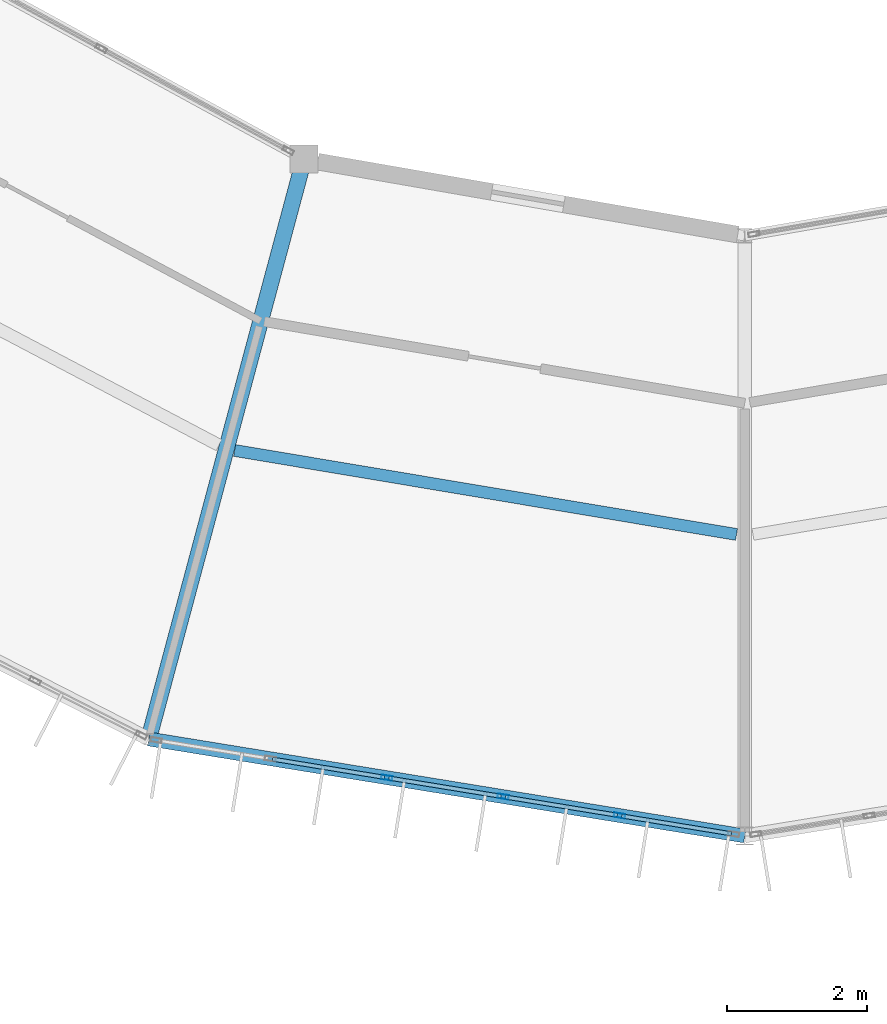
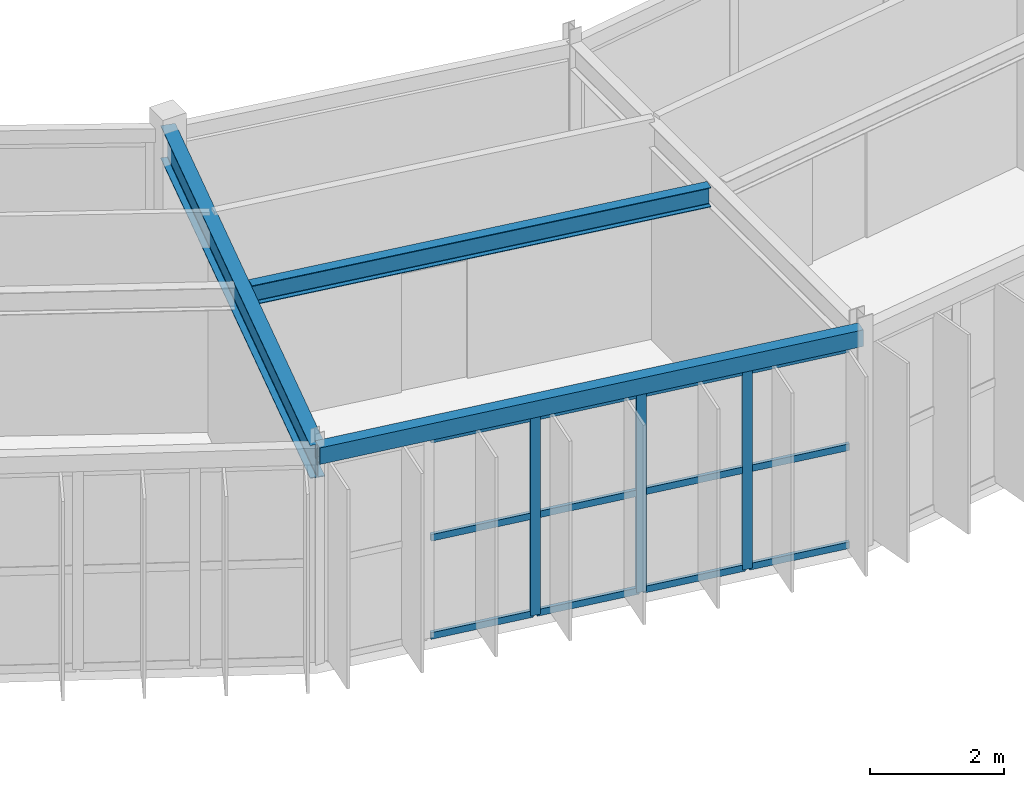
# One storey, part 21 of 130: 15 members, 3 beams, 1 element without a shape of its own.
"""IFC4 building model written with IfcOpenShell, lengths in metres."""

from ifc_helpers import new_model, si_unit, direction, frame, origin, origin_2d, place, context, subcontext, project, spatial, hollow_rectangle, i_section, extrude, material, material_profile, profile_set, type_object, element, aggregate, save


model = new_model("IFC4")

# Units and contexts
model_context = context("Model", 3, precision=1e-05, world=origin(), true_north=direction((0.0, 1.0)))
body_context = subcontext(model_context, "Body", "Model", "MODEL_VIEW")
ifc_project = project(units=[si_unit("LENGTHUNIT", "METRE"), si_unit("AREAUNIT", "SQUARE_METRE"), si_unit("VOLUMEUNIT", "CUBIC_METRE"), si_unit("PLANEANGLEUNIT", "RADIAN"), si_unit("MASSUNIT", "GRAM", prefix="KILO")], contexts=[model_context])

# Site, building, storey
site_placement = place(None, origin())
site = spatial("IfcSite", under=ifc_project, at=site_placement, CompositionType="ELEMENT")
building_placement = place(site_placement, origin())
building = spatial("IfcBuilding", under=site, at=building_placement, Name="Karori Crest Natural Sciences Institute", CompositionType="ELEMENT")
storey_placement = place(building_placement, frame((0.0, 0.0, 17.5)))
storey = spatial("IfcBuildingStorey", under=building, at=storey_placement, Name="L04", CompositionType="ELEMENT", Elevation=17.5)

# Beams
ifc_material_1 = material(Name="Hollow structural steel AS/NZS 1163 Grade C350", Category="steel")
ifc_material_profile_1 = material_profile(ifc_material_1, hollow_rectangle(XDim=0.199951171875, YDim=0.300048828125, WallThickness=0.010009765625, at=origin_2d()), Name="RHS300x200x10")
ifc_profile_set_1 = profile_set([ifc_material_profile_1], Name="Hollow structural steel AS/NZS 1163 Grade C350")
beam_type_1 = type_object("IfcBeamType", Name="BT-15", PredefinedType="SPANDREL", material=ifc_profile_set_1)
beam_1_placement = place(storey_placement, frame((57.85888671875, 10.490234375, 3.7900390625), z_axis=(0.987012055933, -0.160646199591, 0.0), x_axis=(0.160646199591, 0.987012055933, 0.0)))
element("IfcBeam", 1, at=beam_1_placement, inside=storey, type_object=beam_type_1, Name="Beam B-0514", PredefinedType="SPANDREL", context=body_context, shape_type="SweptSolid", body=[
    extrude(hollow_rectangle(XDim=0.199951171875, YDim=0.300048828125, WallThickness=0.010009765625, at=origin_2d()), origin(), (0.0, 0.0, 1.0), 8.6533203125),
])
ifc_material_2 = material(Name="Structural steel AS/NZS 3679.1 Grade 350", Category="steel")
ifc_material_profile_2 = material_profile(ifc_material_2, i_section(OverallWidth=0.22802734375, OverallDepth=0.60205078125, WebThickness=0.010498046875, FlangeThickness=0.014892578125, FilletRadius=0.013916015625, at=origin_2d()), Name="610UB101")
ifc_profile_set_2 = profile_set([ifc_material_profile_2], Name="Structural steel AS/NZS 3679.1 Grade 350")
beam_type_2 = type_object("IfcBeamType", Name="BT-27", PredefinedType="BEAM", material=ifc_profile_set_2)
beam_2_placement = place(storey_placement, frame((60.084716796875, 18.797119140625, 3.638916015625), z_axis=(-0.258819806009, -0.965925622404, 0.0), x_axis=(0.965925622404, -0.258819806009, 0.0)))
element("IfcBeam", 2, at=beam_2_placement, inside=storey, type_object=beam_type_2, Name="Beam B-0516", PredefinedType="BEAM", context=body_context, shape_type="SweptSolid", body=[
    extrude(i_section(OverallWidth=0.22802734375, OverallDepth=0.60205078125, WebThickness=0.010498046875, FlangeThickness=0.014892578125, FilletRadius=0.013916015625, at=origin_2d()), origin(), (0.0, 0.0, 1.0), 8.599853515625),
])
ifc_material_profile_3 = material_profile(ifc_material_2, i_section(OverallWidth=0.1708984375, OverallDepth=0.35595703125, WebThickness=0.00732421875, FlangeThickness=0.011474609375, FilletRadius=0.010986328125, at=origin_2d()), Name="360UB50.7")
ifc_profile_set_3 = profile_set([ifc_material_profile_3], Name="Structural steel AS/NZS 3679.1 Grade 350")
beam_type_3 = type_object("IfcBeamType", Name="BT-30", PredefinedType="BEAM", material=ifc_profile_set_3)
beam_3_placement = place(storey_placement, frame((59.09033203125, 14.623779296875, 3.761962890625), z_axis=(0.986275115433, -0.165110256126, 0.0), x_axis=(0.165110256126, 0.986275115433, 0.0)))
element("IfcBeam", 3, at=beam_3_placement, inside=storey, type_object=beam_type_3, Name="Beam B-0517", PredefinedType="BEAM", context=body_context, shape_type="SweptSolid", body=[
    extrude(i_section(OverallWidth=0.1708984375, OverallDepth=0.35595703125, WebThickness=0.00732421875, FlangeThickness=0.011474609375, FilletRadius=0.010986328125, at=origin_2d()), origin(), (0.0, 0.0, 1.0), 7.291259765625),
])

# Curtain wall, members
ifc_material_3 = material(Name="Anodised architectural aluminium 6063-T6", Category="aluminium")
curtain_wall_type = type_object("IfcCurtainWallType", Name="CWT-08", PredefinedType="NOTDEFINED", material=ifc_material_3)
curtain_wall_placement = place(storey_placement, origin())
curtain_wall = element("IfcCurtainWall", 4, at=curtain_wall_placement, inside=storey, type_object=curtain_wall_type, Name="Curtain wall CW-0162", PredefinedType="NOTDEFINED")
ifc_material_profile_4 = material_profile(ifc_material_3, hollow_rectangle(XDim=0.06494140625, YDim=0.159912109375, WallThickness=0.00390625, at=origin_2d()), Name="CWM160x65x4")
ifc_profile_set_4 = profile_set([ifc_material_profile_4], Name="Anodised architectural aluminium 6063-T6")
member_type_1 = type_object("IfcMemberType", Name="CWM-01", PredefinedType="MULLION", material=ifc_profile_set_4)
member_1_placement = place(storey_placement, frame((64.60595703125, 9.39208984375, 0.0), z_axis=(0.0, 0.0, 1.0), x_axis=(-0.160655493101, -0.987010543275, 0.0)))
member_1 = element("IfcMember", 5, at=member_1_placement, type_object=member_type_1, Name="CW-0162 mullion 2", PredefinedType="MULLION", context=body_context, shape_type="SweptSolid", body=[
    extrude(hollow_rectangle(XDim=0.06494140625, YDim=0.159912109375, WallThickness=0.00390625, at=origin_2d()), origin(), (0.0, 0.0, 1.0), 3.625),
])
member_2_placement = place(storey_placement, frame((62.93798828125, 9.66357421875, 0.0), z_axis=(0.0, 0.0, 1.0), x_axis=(-0.160655493101, -0.987010543275, 0.0)))
member_2 = element("IfcMember", 6, at=member_2_placement, type_object=member_type_1, Name="CW-0162 mullion 3", PredefinedType="MULLION", context=body_context, shape_type="SweptSolid", body=[
    extrude(hollow_rectangle(XDim=0.06494140625, YDim=0.159912109375, WallThickness=0.00390625, at=origin_2d()), origin(), (0.0, 0.0, 1.0), 3.625),
])
member_3_placement = place(storey_placement, frame((61.27001953125, 9.93505859375, 0.0), z_axis=(0.0, 0.0, 1.0), x_axis=(-0.160655493101, -0.987010543275, 0.0)))
member_3 = element("IfcMember", 7, at=member_3_placement, type_object=member_type_1, Name="CW-0162 mullion 4", PredefinedType="MULLION", context=body_context, shape_type="SweptSolid", body=[
    extrude(hollow_rectangle(XDim=0.06494140625, YDim=0.159912109375, WallThickness=0.00390625, at=origin_2d()), origin(), (0.0, 0.0, 1.0), 3.625),
])
ifc_material_profile_5 = material_profile(ifc_material_3, hollow_rectangle(XDim=0.06005859375, YDim=0.1201171875, WallThickness=0.00390625, at=origin_2d()), Name="CWT120x60x4")
ifc_profile_set_5 = profile_set([ifc_material_profile_5], Name="Anodised architectural aluminium 6063-T6")
member_type_2 = type_object("IfcMemberType", Name="CWT-TR1", PredefinedType="USERDEFINED", material=ifc_profile_set_5)
member_4_placement = place(storey_placement, frame((66.2099609375, 9.130859375, 0.030029296875), z_axis=(-0.987008400747, 0.16066865548, 0.0), x_axis=(-0.16066865548, -0.987008400747, 0.0)))
member_4 = element("IfcMember", 8, at=member_4_placement, type_object=member_type_2, Name="CW-0162 transom 1.1", ObjectType="TRANSOM", PredefinedType="USERDEFINED", context=body_context, shape_type="SweptSolid", body=[
    extrude(hollow_rectangle(XDim=0.06005859375, YDim=0.1201171875, WallThickness=0.00390625, at=origin_2d()), origin(), (0.0, 0.0, 1.0), 1.592529296875),
])
member_5_placement = place(storey_placement, frame((66.2099609375, 9.130859375, 1.8125), z_axis=(-0.987008400747, 0.16066865548, 0.0), x_axis=(-0.16066865548, -0.987008400747, 0.0)))
member_5 = element("IfcMember", 9, at=member_5_placement, type_object=member_type_2, Name="CW-0162 transom 1.2", ObjectType="TRANSOM", PredefinedType="USERDEFINED", context=body_context, shape_type="SweptSolid", body=[
    extrude(hollow_rectangle(XDim=0.06005859375, YDim=0.1201171875, WallThickness=0.00390625, at=origin_2d()), origin(), (0.0, 0.0, 1.0), 1.592529296875),
])
member_6_placement = place(storey_placement, frame((66.2099609375, 9.130859375, 3.594970703125), z_axis=(-0.987008400747, 0.16066865548, 0.0), x_axis=(-0.16066865548, -0.987008400747, 0.0)))
member_6 = element("IfcMember", 10, at=member_6_placement, type_object=member_type_2, Name="CW-0162 transom 1.3", ObjectType="TRANSOM", PredefinedType="USERDEFINED", context=body_context, shape_type="SweptSolid", body=[
    extrude(hollow_rectangle(XDim=0.06005859375, YDim=0.1201171875, WallThickness=0.00390625, at=origin_2d()), origin(), (0.0, 0.0, 1.0), 1.592529296875),
])
member_7_placement = place(storey_placement, frame((64.573974609375, 9.397216796875, 0.030029296875), z_axis=(-0.987020010371, 0.1605973198, 0.0), x_axis=(-0.1605973198, -0.987020010371, 0.0)))
member_7 = element("IfcMember", 11, at=member_7_placement, type_object=member_type_2, Name="CW-0162 transom 2.1", ObjectType="TRANSOM", PredefinedType="USERDEFINED", context=body_context, shape_type="SweptSolid", body=[
    extrude(hollow_rectangle(XDim=0.06005859375, YDim=0.1201171875, WallThickness=0.00390625, at=origin_2d()), origin(), (0.0, 0.0, 1.0), 1.625),
])
member_8_placement = place(storey_placement, frame((64.573974609375, 9.397216796875, 1.8125), z_axis=(-0.987020010371, 0.1605973198, 0.0), x_axis=(-0.1605973198, -0.987020010371, 0.0)))
member_8 = element("IfcMember", 12, at=member_8_placement, type_object=member_type_2, Name="CW-0162 transom 2.2", ObjectType="TRANSOM", PredefinedType="USERDEFINED", context=body_context, shape_type="SweptSolid", body=[
    extrude(hollow_rectangle(XDim=0.06005859375, YDim=0.1201171875, WallThickness=0.00390625, at=origin_2d()), origin(), (0.0, 0.0, 1.0), 1.625),
])
member_9_placement = place(storey_placement, frame((64.573974609375, 9.397216796875, 3.594970703125), z_axis=(-0.987020010371, 0.1605973198, 0.0), x_axis=(-0.1605973198, -0.987020010371, 0.0)))
member_9 = element("IfcMember", 13, at=member_9_placement, type_object=member_type_2, Name="CW-0162 transom 2.3", ObjectType="TRANSOM", PredefinedType="USERDEFINED", context=body_context, shape_type="SweptSolid", body=[
    extrude(hollow_rectangle(XDim=0.06005859375, YDim=0.1201171875, WallThickness=0.00390625, at=origin_2d()), origin(), (0.0, 0.0, 1.0), 1.625),
])
member_10_placement = place(storey_placement, frame((62.906005859375, 9.668701171875, 0.030029296875), z_axis=(-0.987020010371, 0.1605973198, 0.0), x_axis=(-0.1605973198, -0.987020010371, 0.0)))
member_10 = element("IfcMember", 14, at=member_10_placement, type_object=member_type_2, Name="CW-0162 transom 3.1", ObjectType="TRANSOM", PredefinedType="USERDEFINED", context=body_context, shape_type="SweptSolid", body=[
    extrude(hollow_rectangle(XDim=0.06005859375, YDim=0.1201171875, WallThickness=0.00390625, at=origin_2d()), origin(), (0.0, 0.0, 1.0), 1.625),
])
member_11_placement = place(storey_placement, frame((62.906005859375, 9.668701171875, 1.8125), z_axis=(-0.987020010371, 0.1605973198, 0.0), x_axis=(-0.1605973198, -0.987020010371, 0.0)))
member_11 = element("IfcMember", 15, at=member_11_placement, type_object=member_type_2, Name="CW-0162 transom 3.2", ObjectType="TRANSOM", PredefinedType="USERDEFINED", context=body_context, shape_type="SweptSolid", body=[
    extrude(hollow_rectangle(XDim=0.06005859375, YDim=0.1201171875, WallThickness=0.00390625, at=origin_2d()), origin(), (0.0, 0.0, 1.0), 1.625),
])
member_12_placement = place(storey_placement, frame((62.906005859375, 9.668701171875, 3.594970703125), z_axis=(-0.987020010371, 0.1605973198, 0.0), x_axis=(-0.1605973198, -0.987020010371, 0.0)))
member_12 = element("IfcMember", 16, at=member_12_placement, type_object=member_type_2, Name="CW-0162 transom 3.3", ObjectType="TRANSOM", PredefinedType="USERDEFINED", context=body_context, shape_type="SweptSolid", body=[
    extrude(hollow_rectangle(XDim=0.06005859375, YDim=0.1201171875, WallThickness=0.00390625, at=origin_2d()), origin(), (0.0, 0.0, 1.0), 1.625),
])
member_13_placement = place(storey_placement, frame((61.238037109375, 9.940185546875, 0.030029296875), z_axis=(-0.987020010371, 0.1605973198, 0.0), x_axis=(-0.1605973198, -0.987020010371, 0.0)))
member_13 = element("IfcMember", 17, at=member_13_placement, type_object=member_type_2, Name="CW-0162 transom 4.1", ObjectType="TRANSOM", PredefinedType="USERDEFINED", context=body_context, shape_type="SweptSolid", body=[
    extrude(hollow_rectangle(XDim=0.06005859375, YDim=0.1201171875, WallThickness=0.00390625, at=origin_2d()), origin(), (0.0, 0.0, 1.0), 1.625),
])
member_14_placement = place(storey_placement, frame((61.238037109375, 9.940185546875, 1.8125), z_axis=(-0.987020010371, 0.1605973198, 0.0), x_axis=(-0.1605973198, -0.987020010371, 0.0)))
member_14 = element("IfcMember", 18, at=member_14_placement, type_object=member_type_2, Name="CW-0162 transom 4.2", ObjectType="TRANSOM", PredefinedType="USERDEFINED", context=body_context, shape_type="SweptSolid", body=[
    extrude(hollow_rectangle(XDim=0.06005859375, YDim=0.1201171875, WallThickness=0.00390625, at=origin_2d()), origin(), (0.0, 0.0, 1.0), 1.625),
])
member_15_placement = place(storey_placement, frame((61.238037109375, 9.940185546875, 3.594970703125), z_axis=(-0.987020010371, 0.1605973198, 0.0), x_axis=(-0.1605973198, -0.987020010371, 0.0)))
member_15 = element("IfcMember", 19, at=member_15_placement, type_object=member_type_2, Name="CW-0162 transom 4.3", ObjectType="TRANSOM", PredefinedType="USERDEFINED", context=body_context, shape_type="SweptSolid", body=[
    extrude(hollow_rectangle(XDim=0.06005859375, YDim=0.1201171875, WallThickness=0.00390625, at=origin_2d()), origin(), (0.0, 0.0, 1.0), 1.625),
])
aggregate(curtain_wall, [member_1, member_2, member_3, member_4, member_5, member_6, member_7, member_8, member_9, member_10, member_11, member_12, member_13, member_14, member_15])

save(model, "model.ifc")
